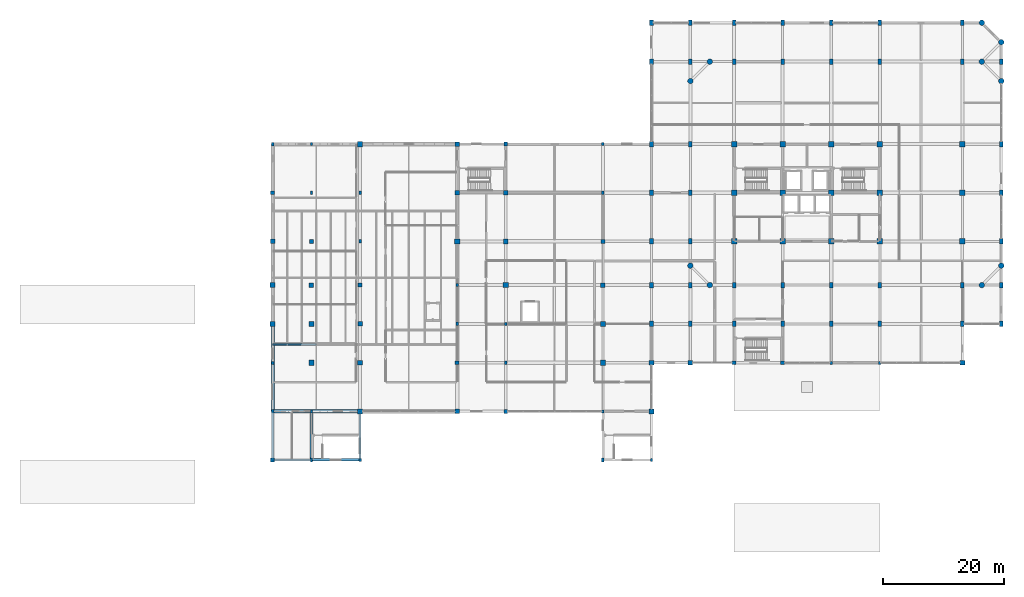
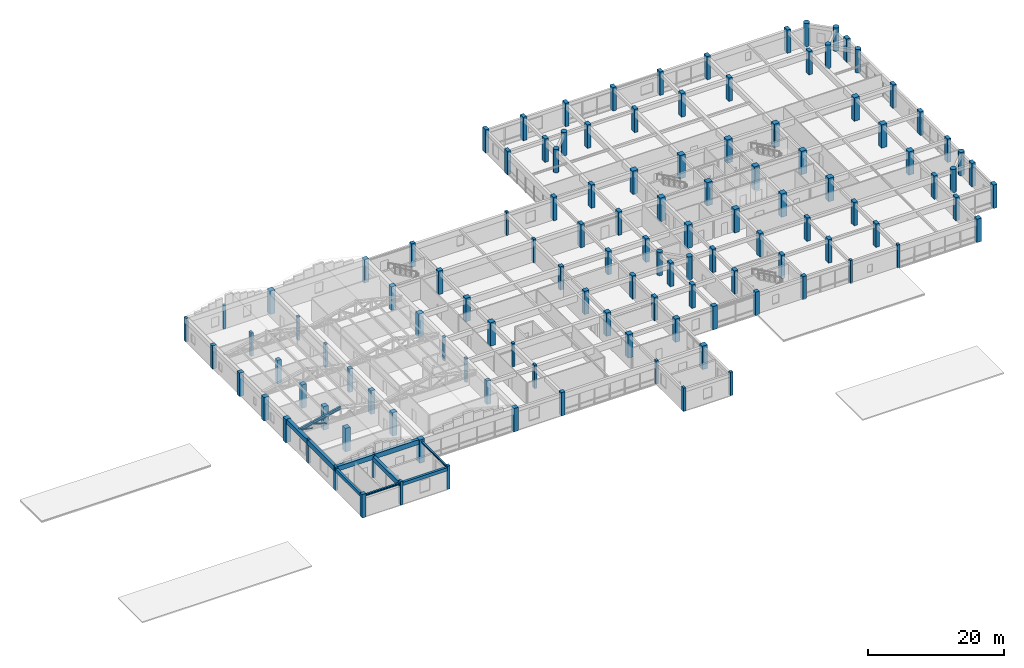
# One storey, part 1 of 35: 120 columns, 9 beams, 3 members.
"""IFC4 building model written with IfcOpenShell, lengths in metres."""

from ifc_helpers import new_model, si_unit, direction, frame, origin, origin_2d, place, context, subcontext, project, spatial, rectangle, circle, hollow_circle, i_section, extrude, material, material_profile, profile_set, type_object, element, save


model = new_model("IFC4")

# Units and contexts
model_context = context("Model", 3, precision=1e-05, world=origin(), true_north=direction((0.0, 1.0)))
body_context = subcontext(model_context, "Body", "Model", "MODEL_VIEW")
ifc_project = project(units=[si_unit("LENGTHUNIT", "METRE"), si_unit("AREAUNIT", "SQUARE_METRE"), si_unit("VOLUMEUNIT", "CUBIC_METRE"), si_unit("PLANEANGLEUNIT", "RADIAN"), si_unit("MASSUNIT", "GRAM", prefix="KILO")], contexts=[model_context])

# Site, building, storey
site_placement = place(None, origin())
site = spatial("IfcSite", under=ifc_project, at=site_placement, CompositionType="ELEMENT")
building_placement = place(site_placement, origin())
building = spatial("IfcBuilding", under=site, at=building_placement, Name="Vellmiral Cinema and Media Centre", CompositionType="ELEMENT")
storey_placement = place(building_placement, frame((0.0, 0.0, 15.60009765625)))
storey = spatial("IfcBuildingStorey", under=building, at=storey_placement, Name="L03", CompositionType="ELEMENT", Elevation=15.60009765625)

# Columns
ifc_material_1 = material(Name="Concrete C40/50", Category="concrete")
ifc_material_profile_1 = material_profile(ifc_material_1, rectangle(XDim=0.39990234375, YDim=0.5, at=origin_2d()), Name="RC 400x500")
ifc_profile_set_1 = profile_set([ifc_material_profile_1], Name="Concrete C40/50")
column_type_1 = type_object("IfcColumnType", Name="COL-RC-400x500", PredefinedType="COLUMN", material=ifc_profile_set_1)
for number, where, z_axis, x_axis, name in (
    (1, (48.0, 59.199951171875, 0.0), (0.0, 0.0, 1.0), (1.0, 0.0, 0.0), "Column L03-003"),
    (2, (54.39990234375, 51.199951171875, 0.0), (0.0, 0.0, 1.0), (1.0, 0.0, 0.0), "Column L03-010"),
    (3, (54.39990234375, 95.199951171875, 0.0), (0.0, 0.0, 1.0), (1.0, 0.0, 0.0), "Column L03-016"),
    (4, (62.39990234375, 43.199951171875, 0.0), (0.0, 0.0, 1.0), (1.0, 0.0, 0.0), "Column L03-017"),
    (5, (62.39990234375, 87.199951171875, 0.0), (0.0, 0.0, 1.0), (1.0, 0.0, 0.0), "Column L03-023"),
    (6, (78.39990234375, 72.0, 0.0), (0.0, 0.0, 1.0), (1.0, 0.0, 0.0), "Column L03-028"),
    (7, (86.39990234375, 65.60009765625, 0.0), (0.0, 0.0, 1.0), (1.0, 0.0, 0.0), "Column L03-034"),
    (8, (102.39990234375, 51.199951171875, 0.0), (0.0, 0.0, 1.0), (1.0, 0.0, 0.0), "Column L03-040"),
    (9, (102.39990234375, 95.199951171875, 0.0), (0.0, 0.0, 1.0), (1.0, 0.0, 0.0), "Column L03-046"),
    (10, (110.39990234375, 43.199951171875, 0.0), (0.0, 0.0, 1.0), (1.0, 0.0, 0.0), "Column L03-047"),
    (11, (140.0, 59.199951171875, 0.0), (0.0, 0.0, 1.0), (1.0, 0.0, 0.0), "Column L03-085"),
    (12, (148.0, 59.199951171875, 0.0), (0.0, 0.0, 1.0), (1.0, 0.0, 0.0), "Column L03-093"),
):
    element("IfcColumn", number, at=place(storey_placement, frame(where, z_axis=z_axis, x_axis=x_axis)), inside=storey, type_object=column_type_1, Name=name, PredefinedType="COLUMN", context=body_context, shape_type="SweptSolid", body=[
        extrude(rectangle(XDim=0.39990234375, YDim=0.5, at=origin_2d()), origin(), (0.0, 0.0, 1.0), 4.199951171875),
    ])
ifc_material_2 = material(Name="Concrete C40/50", Category="concrete")
ifc_material_profile_2 = material_profile(ifc_material_2, rectangle(XDim=0.39990234375, YDim=0.60009765625, at=origin_2d()), Name="RC 400x600")
ifc_profile_set_2 = profile_set([ifc_material_profile_2], Name="Concrete C40/50")
column_type_2 = type_object("IfcColumnType", Name="COL-RC-400x600", PredefinedType="COLUMN", material=ifc_profile_set_2)
for number, where, z_axis, x_axis, name in (
    (13, (48.0, 51.199951171875, 0.0), (0.0, 0.0, 1.0), (1.0, 0.0, 0.0), "Column L03-002"),
    (14, (48.0, 95.199951171875, 0.0), (0.0, 0.0, 1.0), (1.0, 0.0, 0.0), "Column L03-008"),
    (15, (54.39990234375, 43.199951171875, 0.0), (0.0, 0.0, 1.0), (1.0, 0.0, 0.0), "Column L03-009"),
    (16, (54.39990234375, 87.199951171875, 0.0), (0.0, 0.0, 1.0), (1.0, 0.0, 0.0), "Column L03-015"),
    (17, (62.39990234375, 79.199951171875, 0.0), (0.0, 0.0, 1.0), (1.0, 0.0, 0.0), "Column L03-022"),
    (18, (78.39990234375, 65.60009765625, 0.0), (0.0, 0.0, 1.0), (1.0, 0.0, 0.0), "Column L03-027"),
    (19, (86.39990234375, 59.199951171875, 0.0), (0.0, 0.0, 1.0), (1.0, 0.0, 0.0), "Column L03-033"),
    (20, (102.39990234375, 43.199951171875, 0.0), (0.0, 0.0, 1.0), (1.0, 0.0, 0.0), "Column L03-039"),
    (21, (102.39990234375, 87.199951171875, 0.0), (0.0, 0.0, 1.0), (1.0, 0.0, 0.0), "Column L03-045"),
):
    element("IfcColumn", number, at=place(storey_placement, frame(where, z_axis=z_axis, x_axis=x_axis)), inside=storey, type_object=column_type_2, Name=name, PredefinedType="COLUMN", context=body_context, shape_type="SweptSolid", body=[
        extrude(rectangle(XDim=0.39990234375, YDim=0.60009765625, at=origin_2d()), origin(), (0.0, 0.0, 1.0), 4.199951171875),
    ])
ifc_material_3 = material(Name="Concrete C40/50", Category="concrete")
ifc_material_profile_3 = material_profile(ifc_material_3, rectangle(XDim=0.60009765625, YDim=0.89990234375, at=origin_2d()), Name="RC 600x900")
ifc_profile_set_3 = profile_set([ifc_material_profile_3], Name="Concrete C40/50")
column_type_3 = type_object("IfcColumnType", Name="COL-RC-600x900", PredefinedType="COLUMN", material=ifc_profile_set_3)
for number, where, z_axis, x_axis, name in (
    (22, (110.39990234375, 65.60009765625, 0.0), (0.0, 0.0, 1.0), (1.0, 0.0, 0.0), "Column L03-050"),
    (23, (110.39990234375, 72.0, 0.0), (0.0, 0.0, 1.0), (1.0, 0.0, 0.0), "Column L03-051"),
    (24, (110.39990234375, 79.199951171875, 0.0), (0.0, 0.0, 1.0), (1.0, 0.0, 0.0), "Column L03-052"),
    (25, (110.39990234375, 87.199951171875, 0.0), (0.0, 0.0, 1.0), (1.0, 0.0, 0.0), "Column L03-053"),
    (26, (110.39990234375, 95.199951171875, 0.0), (0.0, 0.0, 1.0), (1.0, 0.0, 0.0), "Column L03-054"),
    (27, (110.39990234375, 108.800048828125, 0.0), (0.0, 0.0, 1.0), (1.0, 0.0, 0.0), "Column L03-055"),
    (28, (110.39990234375, 115.199951171875, 0.0), (0.0, 0.0, 1.0), (1.0, 0.0, 0.0), "Column L03-056"),
    (29, (116.800048828125, 65.60009765625, 0.0), (0.0, 0.0, 1.0), (1.0, 0.0, 0.0), "Column L03-058"),
    (30, (116.800048828125, 72.0, 0.0), (0.0, 0.0, 1.0), (1.0, 0.0, 0.0), "Column L03-059"),
    (31, (116.800048828125, 79.199951171875, 0.0), (0.0, 0.0, 1.0), (1.0, 0.0, 0.0), "Column L03-061"),
    (32, (116.800048828125, 87.199951171875, 0.0), (0.0, 0.0, 1.0), (1.0, 0.0, 0.0), "Column L03-062"),
    (33, (116.800048828125, 95.199951171875, 0.0), (0.0, 0.0, 1.0), (1.0, 0.0, 0.0), "Column L03-063"),
    (34, (116.800048828125, 108.800048828125, 0.0), (0.0, 0.0, 1.0), (1.0, 0.0, 0.0), "Column L03-065"),
    (35, (116.800048828125, 115.199951171875, 0.0), (0.0, 0.0, 1.0), (1.0, 0.0, 0.0), "Column L03-066"),
    (36, (124.0, 65.60009765625, 0.0), (0.0, 0.0, 1.0), (1.0, 0.0, 0.0), "Column L03-070"),
    (37, (124.0, 72.0, 0.0), (0.0, 0.0, 1.0), (1.0, 0.0, 0.0), "Column L03-071"),
    (38, (124.0, 108.800048828125, 0.0), (0.0, 0.0, 1.0), (1.0, 0.0, 0.0), "Column L03-075"),
    (39, (124.0, 115.199951171875, 0.0), (0.0, 0.0, 1.0), (1.0, 0.0, 0.0), "Column L03-076"),
    (40, (132.0, 65.60009765625, 0.0), (0.0, 0.0, 1.0), (1.0, 0.0, 0.0), "Column L03-078"),
    (41, (132.0, 72.0, 0.0), (0.0, 0.0, 1.0), (1.0, 0.0, 0.0), "Column L03-079"),
    (42, (132.0, 108.800048828125, 0.0), (0.0, 0.0, 1.0), (1.0, 0.0, 0.0), "Column L03-083"),
    (43, (132.0, 115.199951171875, 0.0), (0.0, 0.0, 1.0), (1.0, 0.0, 0.0), "Column L03-084"),
    (44, (140.0, 65.60009765625, 0.0), (0.0, 0.0, 1.0), (1.0, 0.0, 0.0), "Column L03-086"),
    (45, (140.0, 72.0, 0.0), (0.0, 0.0, 1.0), (1.0, 0.0, 0.0), "Column L03-087"),
    (46, (140.0, 108.800048828125, 0.0), (0.0, 0.0, 1.0), (1.0, 0.0, 0.0), "Column L03-091"),
    (47, (140.0, 115.199951171875, 0.0), (0.0, 0.0, 1.0), (1.0, 0.0, 0.0), "Column L03-092"),
    (48, (148.0, 65.60009765625, 0.0), (0.0, 0.0, 1.0), (1.0, 0.0, 0.0), "Column L03-094"),
    (49, (148.0, 72.0, 0.0), (0.0, 0.0, 1.0), (1.0, 0.0, 0.0), "Column L03-095"),
    (50, (148.0, 108.800048828125, 0.0), (0.0, 0.0, 1.0), (1.0, 0.0, 0.0), "Column L03-099"),
    (51, (148.0, 115.199951171875, 0.0), (0.0, 0.0, 1.0), (1.0, 0.0, 0.0), "Column L03-100"),
    (52, (161.60009765625, 65.60009765625, 0.0), (0.0, 0.0, 1.0), (1.0, 0.0, 0.0), "Column L03-102"),
    (53, (161.60009765625, 72.0, 0.0), (0.0, 0.0, 1.0), (1.0, 0.0, 0.0), "Column L03-103"),
    (54, (161.60009765625, 108.800048828125, 0.0), (0.0, 0.0, 1.0), (1.0, 0.0, 0.0), "Column L03-107"),
    (55, (161.60009765625, 115.199951171875, 0.0), (0.0, 0.0, 1.0), (1.0, 0.0, 0.0), "Column L03-108"),
    (56, (168.0, 65.60009765625, 0.0), (0.0, 0.0, 1.0), (1.0, 0.0, 0.0), "Column L03-112"),
    (57, (168.0, 72.0, 0.0), (0.0, 0.0, 1.0), (1.0, 0.0, 0.0), "Column L03-113"),
    (58, (168.0, 79.199951171875, 0.0), (0.0, 0.0, 1.0), (1.0, 0.0, 0.0), "Column L03-115"),
    (59, (168.0, 87.199951171875, 0.0), (0.0, 0.0, 1.0), (1.0, 0.0, 0.0), "Column L03-116"),
    (60, (168.0, 95.199951171875, 0.0), (0.0, 0.0, 1.0), (1.0, 0.0, 0.0), "Column L03-117"),
    (61, (168.0, 108.800048828125, 0.0), (0.0, 0.0, 1.0), (1.0, 0.0, 0.0), "Column L03-119"),
):
    element("IfcColumn", number, at=place(storey_placement, frame(where, z_axis=z_axis, x_axis=x_axis)), inside=storey, type_object=column_type_3, Name=name, PredefinedType="COLUMN", context=body_context, shape_type="SweptSolid", body=[
        extrude(rectangle(XDim=0.60009765625, YDim=0.89990234375, at=origin_2d()), origin(), (0.0, 0.0, 1.0), 4.199951171875),
    ])
ifc_material_4 = material(Name="Concrete C40/50", Category="concrete")
ifc_material_profile_4 = material_profile(ifc_material_4, rectangle(XDim=0.64990234375, YDim=0.64990234375, at=origin_2d()), Name="RC 650x650")
ifc_profile_set_4 = profile_set([ifc_material_profile_4], Name="Concrete C40/50")
column_type_4 = type_object("IfcColumnType", Name="COL-RC-650x650", PredefinedType="COLUMN", material=ifc_profile_set_4)
for number, where, z_axis, x_axis, name in (
    (62, (48.0, 43.199951171875, 0.0), (0.0, 0.0, 1.0), (1.0, 0.0, 0.0), "Column L03-001"),
    (63, (48.0, 87.199951171875, 0.0), (0.0, 0.0, 1.0), (1.0, 0.0, 0.0), "Column L03-007"),
    (64, (54.39990234375, 79.199951171875, 0.0), (0.0, 0.0, 1.0), (1.0, 0.0, 0.0), "Column L03-014"),
    (65, (62.39990234375, 72.0, 0.0), (0.0, 0.0, 1.0), (1.0, 0.0, 0.0), "Column L03-021"),
    (66, (78.39990234375, 59.199951171875, 0.0), (0.0, 0.0, 1.0), (1.0, 0.0, 0.0), "Column L03-026"),
    (67, (86.39990234375, 51.199951171875, 0.0), (0.0, 0.0, 1.0), (1.0, 0.0, 0.0), "Column L03-032"),
    (68, (86.39990234375, 95.199951171875, 0.0), (0.0, 0.0, 1.0), (1.0, 0.0, 0.0), "Column L03-038"),
    (69, (102.39990234375, 79.199951171875, 0.0), (0.0, 0.0, 1.0), (1.0, 0.0, 0.0), "Column L03-044"),
    (70, (124.0, 59.199951171875, 0.0), (0.0, 0.0, 1.0), (1.0, 0.0, 0.0), "Column L03-069"),
    (71, (132.0, 59.199951171875, 0.0), (0.0, 0.0, 1.0), (1.0, 0.0, 0.0), "Column L03-077"),
):
    element("IfcColumn", number, at=place(storey_placement, frame(where, z_axis=z_axis, x_axis=x_axis)), inside=storey, type_object=column_type_4, Name=name, PredefinedType="COLUMN", context=body_context, shape_type="SweptSolid", body=[
        extrude(rectangle(XDim=0.64990234375, YDim=0.64990234375, at=origin_2d()), origin(), (0.0, 0.0, 1.0), 4.199951171875),
    ])
ifc_material_5 = material(Name="Concrete C40/50", Category="concrete")
ifc_material_profile_5 = material_profile(ifc_material_5, rectangle(XDim=0.75, YDim=0.75, at=origin_2d()), Name="RC 750x750")
ifc_profile_set_5 = profile_set([ifc_material_profile_5], Name="Concrete C40/50")
column_type_5 = type_object("IfcColumnType", Name="COL-RC-750x750", PredefinedType="COLUMN", material=ifc_profile_set_5)
for number, where, z_axis, x_axis, name in (
    (72, (48.0, 79.199951171875, 0.0), (0.0, 0.0, 1.0), (1.0, 0.0, 0.0), "Column L03-006"),
    (73, (54.39990234375, 72.0, 0.0), (0.0, 0.0, 1.0), (1.0, 0.0, 0.0), "Column L03-013"),
    (74, (62.39990234375, 65.60009765625, 0.0), (0.0, 0.0, 1.0), (1.0, 0.0, 0.0), "Column L03-020"),
    (75, (78.39990234375, 51.199951171875, 0.0), (0.0, 0.0, 1.0), (1.0, 0.0, 0.0), "Column L03-025"),
    (76, (78.39990234375, 95.199951171875, 0.0), (0.0, 0.0, 1.0), (1.0, 0.0, 0.0), "Column L03-031"),
    (77, (86.39990234375, 87.199951171875, 0.0), (0.0, 0.0, 1.0), (1.0, 0.0, 0.0), "Column L03-037"),
    (78, (102.39990234375, 72.0, 0.0), (0.0, 0.0, 1.0), (1.0, 0.0, 0.0), "Column L03-043"),
    (79, (116.800048828125, 59.199951171875, 0.0), (0.0, 0.0, 1.0), (1.0, 0.0, 0.0), "Column L03-057"),
):
    element("IfcColumn", number, at=place(storey_placement, frame(where, z_axis=z_axis, x_axis=x_axis)), inside=storey, type_object=column_type_5, Name=name, PredefinedType="COLUMN", context=body_context, shape_type="SweptSolid", body=[
        extrude(rectangle(XDim=0.75, YDim=0.75, at=origin_2d()), origin(), (0.0, 0.0, 1.0), 4.199951171875),
    ])
ifc_material_6 = material(Name="Concrete C40/50", Category="concrete")
ifc_material_profile_6 = material_profile(ifc_material_6, rectangle(XDim=0.800048828125, YDim=0.800048828125, at=origin_2d()), Name="RC 800x800")
ifc_profile_set_6 = profile_set([ifc_material_profile_6], Name="Concrete C40/50")
column_type_6 = type_object("IfcColumnType", Name="COL-RC-800x800", PredefinedType="COLUMN", material=ifc_profile_set_6)
for number, where, z_axis, x_axis, name in (
    (80, (48.0, 72.0, 0.0), (0.0, 0.0, 1.0), (1.0, 0.0, 0.0), "Column L03-005"),
    (81, (54.39990234375, 65.60009765625, 0.0), (0.0, 0.0, 1.0), (1.0, 0.0, 0.0), "Column L03-012"),
    (82, (62.39990234375, 59.199951171875, 0.0), (0.0, 0.0, 1.0), (1.0, 0.0, 0.0), "Column L03-019"),
    (83, (78.39990234375, 87.199951171875, 0.0), (0.0, 0.0, 1.0), (1.0, 0.0, 0.0), "Column L03-030"),
    (84, (86.39990234375, 79.199951171875, 0.0), (0.0, 0.0, 1.0), (1.0, 0.0, 0.0), "Column L03-036"),
    (85, (102.39990234375, 65.60009765625, 0.0), (0.0, 0.0, 1.0), (1.0, 0.0, 0.0), "Column L03-042"),
    (86, (110.39990234375, 59.199951171875, 0.0), (0.0, 0.0, 1.0), (1.0, 0.0, 0.0), "Column L03-049"),
    (87, (161.60009765625, 59.199951171875, 0.0), (0.0, 0.0, 1.0), (1.0, 0.0, 0.0), "Column L03-101"),
):
    element("IfcColumn", number, at=place(storey_placement, frame(where, z_axis=z_axis, x_axis=x_axis)), inside=storey, type_object=column_type_6, Name=name, PredefinedType="COLUMN", context=body_context, shape_type="SweptSolid", body=[
        extrude(rectangle(XDim=0.800048828125, YDim=0.800048828125, at=origin_2d()), origin(), (0.0, 0.0, 1.0), 4.199951171875),
    ])
ifc_material_7 = material(Name="Concrete C40/50", Category="concrete")
ifc_material_profile_7 = material_profile(ifc_material_7, rectangle(XDim=0.85009765625, YDim=0.85009765625, at=origin_2d()), Name="RC 850x850")
ifc_profile_set_7 = profile_set([ifc_material_profile_7], Name="Concrete C40/50")
column_type_7 = type_object("IfcColumnType", Name="COL-RC-850x850", PredefinedType="COLUMN", material=ifc_profile_set_7)
for number, where, z_axis, x_axis, name in (
    (88, (48.0, 65.60009765625, 0.0), (0.0, 0.0, 1.0), (1.0, 0.0, 0.0), "Column L03-004"),
    (89, (54.39990234375, 59.199951171875, 0.0), (0.0, 0.0, 1.0), (1.0, 0.0, 0.0), "Column L03-011"),
    (90, (62.39990234375, 51.199951171875, 0.0), (0.0, 0.0, 1.0), (1.0, 0.0, 0.0), "Column L03-018"),
    (91, (62.39990234375, 95.199951171875, 0.0), (0.0, 0.0, 1.0), (1.0, 0.0, 0.0), "Column L03-024"),
    (92, (78.39990234375, 79.199951171875, 0.0), (0.0, 0.0, 1.0), (1.0, 0.0, 0.0), "Column L03-029"),
    (93, (86.39990234375, 72.0, 0.0), (0.0, 0.0, 1.0), (1.0, 0.0, 0.0), "Column L03-035"),
    (94, (102.39990234375, 59.199951171875, 0.0), (0.0, 0.0, 1.0), (1.0, 0.0, 0.0), "Column L03-041"),
    (95, (110.39990234375, 51.199951171875, 0.0), (0.0, 0.0, 1.0), (1.0, 0.0, 0.0), "Column L03-048"),
):
    element("IfcColumn", number, at=place(storey_placement, frame(where, z_axis=z_axis, x_axis=x_axis)), inside=storey, type_object=column_type_7, Name=name, PredefinedType="COLUMN", context=body_context, shape_type="SweptSolid", body=[
        extrude(rectangle(XDim=0.85009765625, YDim=0.85009765625, at=origin_2d()), origin(), (0.0, 0.0, 1.0), 4.199951171875),
    ])
ifc_material_8 = material(Name="Concrete C40/50", Category="concrete")
ifc_material_profile_8 = material_profile(ifc_material_8, rectangle(XDim=0.89990234375, YDim=0.89990234375, at=origin_2d()), Name="RC 900x900")
ifc_profile_set_8 = profile_set([ifc_material_profile_8], Name="Concrete C40/50")
column_type_8 = type_object("IfcColumnType", Name="COL-RC-900x900", PredefinedType="COLUMN", material=ifc_profile_set_8)
for number, where, z_axis, x_axis, name in (
    (96, (124.0, 79.199951171875, 0.0), (0.0, 0.0, 1.0), (1.0, 0.0, 0.0), "Column L03-072"),
    (97, (124.0, 87.199951171875, 0.0), (0.0, 0.0, 1.0), (1.0, 0.0, 0.0), "Column L03-073"),
    (98, (124.0, 95.199951171875, 0.0), (0.0, 0.0, 1.0), (1.0, 0.0, 0.0), "Column L03-074"),
    (99, (132.0, 79.199951171875, 0.0), (0.0, 0.0, 1.0), (1.0, 0.0, 0.0), "Column L03-080"),
    (100, (132.0, 87.199951171875, 0.0), (0.0, 0.0, 1.0), (1.0, 0.0, 0.0), "Column L03-081"),
    (101, (132.0, 95.199951171875, 0.0), (0.0, 0.0, 1.0), (1.0, 0.0, 0.0), "Column L03-082"),
    (102, (140.0, 79.199951171875, 0.0), (0.0, 0.0, 1.0), (1.0, 0.0, 0.0), "Column L03-088"),
    (103, (140.0, 87.199951171875, 0.0), (0.0, 0.0, 1.0), (1.0, 0.0, 0.0), "Column L03-089"),
    (104, (140.0, 95.199951171875, 0.0), (0.0, 0.0, 1.0), (1.0, 0.0, 0.0), "Column L03-090"),
    (105, (148.0, 79.199951171875, 0.0), (0.0, 0.0, 1.0), (1.0, 0.0, 0.0), "Column L03-096"),
    (106, (148.0, 87.199951171875, 0.0), (0.0, 0.0, 1.0), (1.0, 0.0, 0.0), "Column L03-097"),
    (107, (148.0, 95.199951171875, 0.0), (0.0, 0.0, 1.0), (1.0, 0.0, 0.0), "Column L03-098"),
    (108, (161.60009765625, 79.199951171875, 0.0), (0.0, 0.0, 1.0), (1.0, 0.0, 0.0), "Column L03-104"),
    (109, (161.60009765625, 87.199951171875, 0.0), (0.0, 0.0, 1.0), (1.0, 0.0, 0.0), "Column L03-105"),
    (110, (161.60009765625, 95.199951171875, 0.0), (0.0, 0.0, 1.0), (1.0, 0.0, 0.0), "Column L03-106"),
):
    element("IfcColumn", number, at=place(storey_placement, frame(where, z_axis=z_axis, x_axis=x_axis)), inside=storey, type_object=column_type_8, Name=name, PredefinedType="COLUMN", context=body_context, shape_type="SweptSolid", body=[
        extrude(rectangle(XDim=0.89990234375, YDim=0.89990234375, at=origin_2d()), origin(), (0.0, 0.0, 1.0), 4.199951171875),
    ])
ifc_material_9 = material(Name="Concrete C40/50", Category="concrete")
ifc_material_profile_9 = material_profile(ifc_material_9, circle(Radius=0.449951171875, at=origin_2d()), Name="RC D900")
ifc_profile_set_9 = profile_set([ifc_material_profile_9], Name="Concrete C40/50")
column_type_9 = type_object("IfcColumnType", Name="COL-RCC-D900", PredefinedType="COLUMN", material=ifc_profile_set_9)
for number, where, z_axis, x_axis, name in (
    (111, (116.800048828125, 75.199951171875, 0.0), (0.0, 0.0, 1.0), (1.0, 0.0, 0.0), "Column L03-060"),
    (112, (116.800048828125, 105.60009765625, 0.0), (0.0, 0.0, 1.0), (1.0, 0.0, 0.0), "Column L03-064"),
    (113, (120.0, 72.0, 0.0), (0.0, 0.0, 1.0), (1.0, 0.0, 0.0), "Column L03-067"),
    (114, (120.0, 108.800048828125, 0.0), (0.0, 0.0, 1.0), (1.0, 0.0, 0.0), "Column L03-068"),
    (115, (164.800048828125, 72.0, 0.0), (0.0, 0.0, 1.0), (1.0, 0.0, 0.0), "Column L03-109"),
    (116, (164.800048828125, 108.800048828125, 0.0), (0.0, 0.0, 1.0), (1.0, 0.0, 0.0), "Column L03-110"),
    (117, (164.800048828125, 115.199951171875, 0.0), (0.0, 0.0, 1.0), (1.0, 0.0, 0.0), "Column L03-111"),
    (118, (168.0, 75.199951171875, 0.0), (0.0, 0.0, 1.0), (1.0, 0.0, 0.0), "Column L03-114"),
    (119, (168.0, 105.60009765625, 0.0), (0.0, 0.0, 1.0), (1.0, 0.0, 0.0), "Column L03-118"),
    (120, (168.0, 112.0, 0.0), (0.0, 0.0, 1.0), (1.0, 0.0, 0.0), "Column L03-120"),
):
    element("IfcColumn", number, at=place(storey_placement, frame(where, z_axis=z_axis, x_axis=x_axis)), inside=storey, type_object=column_type_9, Name=name, PredefinedType="COLUMN", context=body_context, shape_type="SweptSolid", body=[
        extrude(circle(Radius=0.449951171875, at=origin_2d()), origin(), (0.0, 0.0, 1.0), 4.199951171875),
    ])

# Beams
ifc_material_10 = material(Name="Concrete C40/50", Category="concrete")
ifc_material_profile_10 = material_profile(ifc_material_10, rectangle(XDim=0.5, YDim=0.85009765625, at=origin_2d()), Name="RC 500x850")
ifc_profile_set_10 = profile_set([ifc_material_profile_10], Name="Concrete C40/50")
beam_type_1 = type_object("IfcBeamType", Name="BM-RC-500x850", PredefinedType="BEAM", material=ifc_profile_set_10)
beam_1_placement = place(storey_placement, frame((54.39990234375, 43.199951171875, 3.469970703125), z_axis=(0.0, 1.0, 0.0), x_axis=(-1.0, 0.0, 0.0)))
element("IfcBeam", 121, at=beam_1_placement, inside=storey, type_object=beam_type_1, Name="Grid Beam L03-Y080", PredefinedType="BEAM", context=body_context, shape_type="SweptSolid", body=[
    extrude(rectangle(XDim=0.5, YDim=0.85009765625, at=origin_2d()), origin(), (0.0, 0.0, 1.0), 8.0),
])
ifc_material_11 = material(Name="Concrete C40/50", Category="concrete")
ifc_material_profile_11 = material_profile(ifc_material_11, rectangle(XDim=0.550048828125, YDim=0.85009765625, at=origin_2d()), Name="RC 550x850")
ifc_profile_set_11 = profile_set([ifc_material_profile_11], Name="Concrete C40/50")
beam_type_2 = type_object("IfcBeamType", Name="RING-BM-550x850", PredefinedType="BEAM", material=ifc_profile_set_11)
beam_2_placement = place(storey_placement, frame((48.0, 51.199951171875, 3.77490234375), z_axis=(1.0, 0.0, 0.0), x_axis=(0.0, 1.0, 0.0)))
element("IfcBeam", 122, at=beam_2_placement, inside=storey, type_object=beam_type_2, Name="Central Media Library West Barrel Vault Ring Beam 01", PredefinedType="BEAM", context=body_context, shape_type="SweptSolid", body=[
    extrude(rectangle(XDim=0.550048828125, YDim=0.85009765625, at=origin_2d()), origin(), (0.0, 0.0, 1.0), 6.39990234375),
])
for number, where, z_axis, x_axis, name in (
    (123, (54.39990234375, 51.199951171875, 3.77490234375), (1.0, 0.0, 0.0), (0.0, 1.0, 0.0), "Central Media Library West Barrel Vault Ring Beam 02"),
    (124, (48.0, 51.199951171875, 3.77490234375), (0.0, 1.0, 0.0), (-1.0, 0.0, 0.0), "Central Media Library West Barrel Vault Ring Beam 05"),
):
    element("IfcBeam", number, at=place(storey_placement, frame(where, z_axis=z_axis, x_axis=x_axis)), inside=storey, type_object=beam_type_2, Name=name, PredefinedType="BEAM", context=body_context, shape_type="SweptSolid", body=[
        extrude(rectangle(XDim=0.550048828125, YDim=0.85009765625, at=origin_2d()), origin(), (0.0, 0.0, 1.0), 8.0),
    ])
beam_3_placement = place(storey_placement, frame((48.0, 59.199951171875, 3.77490234375), z_axis=(0.0, 1.0, 0.0), x_axis=(-1.0, 0.0, 0.0)))
element("IfcBeam", 125, at=beam_3_placement, inside=storey, type_object=beam_type_2, Name="Central Media Library West Barrel Vault Ring Beam 06", PredefinedType="BEAM", context=body_context, shape_type="SweptSolid", body=[
    extrude(rectangle(XDim=0.550048828125, YDim=0.85009765625, at=origin_2d()), origin(), (0.0, 0.0, 1.0), 6.400146484375),
])
ifc_material_12 = material(Name="Steel S355", Category="steel")
ifc_material_profile_12 = material_profile(ifc_material_12, i_section(OverallWidth=0.300048828125, OverallDepth=0.300048828125, WebThickness=0.010986328125, FlangeThickness=0.01904296875, FilletRadius=0.027099609375, at=origin_2d()), Name="HEB 300")
ifc_profile_set_12 = profile_set([ifc_material_profile_12], Name="Steel S355")
beam_type_3 = type_object("IfcBeamType", Name="SBM-HEB300", PredefinedType="SPANDREL", material=ifc_profile_set_12)
beam_4_placement = place(storey_placement, frame((48.0, 43.199951171875, 3.744873046875), z_axis=(1.0, 0.0, 0.0), x_axis=(0.0, 1.0, 0.0)))
element("IfcBeam", 126, at=beam_4_placement, inside=storey, type_object=beam_type_3, Name="Grid Beam L03-X001", PredefinedType="SPANDREL", context=body_context, shape_type="SweptSolid", body=[
    extrude(i_section(OverallWidth=0.300048828125, OverallDepth=0.300048828125, WebThickness=0.010986328125, FlangeThickness=0.01904296875, FilletRadius=0.027099609375, at=origin_2d()), origin(), (0.0, 0.0, 1.0), 6.39990234375),
])
beam_5_placement = place(storey_placement, frame((62.39990234375, 43.199951171875, 3.744873046875), z_axis=(0.0, 1.0, 0.0), x_axis=(-1.0, 0.0, 0.0)))
element("IfcBeam", 127, at=beam_5_placement, inside=storey, type_object=beam_type_3, Name="Grid Beam L03-Y081", PredefinedType="SPANDREL", context=body_context, shape_type="SweptSolid", body=[
    extrude(i_section(OverallWidth=0.300048828125, OverallDepth=0.300048828125, WebThickness=0.010986328125, FlangeThickness=0.01904296875, FilletRadius=0.027099609375, at=origin_2d()), origin(), (0.0, 0.0, 1.0), 8.0),
])
ifc_material_13 = material(Name="Concrete C40/50", Category="concrete")
ifc_material_profile_13 = material_profile(ifc_material_13, rectangle(XDim=0.39990234375, YDim=0.60009765625, at=origin_2d()), Name="RC 400x600")
ifc_profile_set_13 = profile_set([ifc_material_profile_13], Name="Concrete C40/50")
beam_type_4 = type_object("IfcBeamType", Name="SPD-RC-400x600", PredefinedType="SPANDREL", material=ifc_profile_set_13)
beam_6_placement = place(storey_placement, frame((54.39990234375, 43.199951171875, 3.594970703125), z_axis=(1.0, 0.0, 0.0), x_axis=(0.0, 1.0, 0.0)))
element("IfcBeam", 128, at=beam_6_placement, inside=storey, type_object=beam_type_4, Name="Grid Beam L03-X002", PredefinedType="SPANDREL", context=body_context, shape_type="SweptSolid", body=[
    extrude(rectangle(XDim=0.39990234375, YDim=0.60009765625, at=origin_2d()), origin(), (0.0, 0.0, 1.0), 8.0),
])
ifc_material_14 = material(Name="Vosges Red Sandstone Masonry", Category="masonry")
ifc_material_profile_14 = material_profile(ifc_material_14, rectangle(XDim=0.3798828125, YDim=0.580078125, at=origin_2d()), Name="SAND 380x580")
ifc_profile_set_14 = profile_set([ifc_material_profile_14], Name="Vosges Red Sandstone Masonry")
beam_type_5 = type_object("IfcBeamType", Name="SPD-SAND-380x580", PredefinedType="SPANDREL", material=ifc_profile_set_14)
beam_7_placement = place(storey_placement, frame((48.0, 43.199951171875, 3.60498046875), z_axis=(0.0, 1.0, 0.0), x_axis=(-1.0, 0.0, 0.0)))
element("IfcBeam", 129, at=beam_7_placement, inside=storey, type_object=beam_type_5, Name="Grid Beam L03-Y079", PredefinedType="SPANDREL", context=body_context, shape_type="SweptSolid", body=[
    extrude(rectangle(XDim=0.3798828125, YDim=0.580078125, at=origin_2d()), origin(), (0.0, 0.0, 1.0), 8.0),
])

# Members
ifc_material_15 = material(Name="Steel S355", Category="steel")
ifc_material_profile_15 = material_profile(ifc_material_15, hollow_circle(Radius=0.136474609375, WallThickness=0.012451171875, at=origin_2d()), Name="CHS 273.0x12.5")
ifc_profile_set_15 = profile_set([ifc_material_profile_15], Name="Steel S355")
member_type_1 = type_object("IfcMemberType", Name="TBR-CHS273", PredefinedType="BRACE", material=ifc_profile_set_15)
member_1_placement = place(storey_placement, frame((48.0, 62.199951171875, 3.919921875), z_axis=(0.988315839708, 0.0, -0.152419818209), x_axis=(0.0, 1.0, 0.0)))
element("IfcMember", 130, at=member_1_placement, inside=storey, type_object=member_type_1, Name="Roof Truss TR-08.1 Diagonal 1", PredefinedType="BRACE", context=body_context, shape_type="SweptSolid", body=[
    extrude(hollow_circle(Radius=0.136474609375, WallThickness=0.012451171875, at=origin_2d()), origin(), (0.0, 0.0, 1.0), 2.42822265625),
])
member_2_placement = place(storey_placement, frame((50.39990234375, 62.199951171875, 4.26806640625), z_axis=(0.958021855052, 0.0, -0.286695178269), x_axis=(0.0, 1.0, 0.0)))
element("IfcMember", 131, at=member_2_placement, inside=storey, type_object=member_type_1, Name="Roof Truss TR-08.1 Diagonal 2", PredefinedType="BRACE", context=body_context, shape_type="SweptSolid", body=[
    extrude(hollow_circle(Radius=0.136474609375, WallThickness=0.012451171875, at=origin_2d()), origin(), (0.0, 0.0, 1.0), 2.50537109375),
])
ifc_material_16 = material(Name="Steel S355", Category="steel")
ifc_material_profile_16 = material_profile(ifc_material_16, i_section(OverallWidth=0.300048828125, OverallDepth=0.5, WebThickness=0.014404296875, FlangeThickness=0.028076171875, FilletRadius=0.027099609375, at=origin_2d()), Name="HEB 500")
ifc_profile_set_16 = profile_set([ifc_material_profile_16], Name="Steel S355")
member_type_2 = type_object("IfcMemberType", Name="TCH-HEB500", PredefinedType="CHORD", material=ifc_profile_set_16)
member_3_placement = place(storey_placement, frame((48.0, 62.199951171875, 3.919921875), z_axis=(0.975193562013, 0.0, 0.221353826731), x_axis=(0.0, 1.0, 0.0)))
element("IfcMember", 132, at=member_3_placement, inside=storey, type_object=member_type_2, Name="Roof Truss TR-08.1 Top Chord W", PredefinedType="CHORD", context=body_context, shape_type="SweptSolid", body=[
    extrude(i_section(OverallWidth=0.300048828125, OverallDepth=0.5, WebThickness=0.014404296875, FlangeThickness=0.028076171875, FilletRadius=0.027099609375, at=origin_2d()), origin(), (0.0, 0.0, 1.0), 7.383056640625),
])

save(model, "model.ifc")
